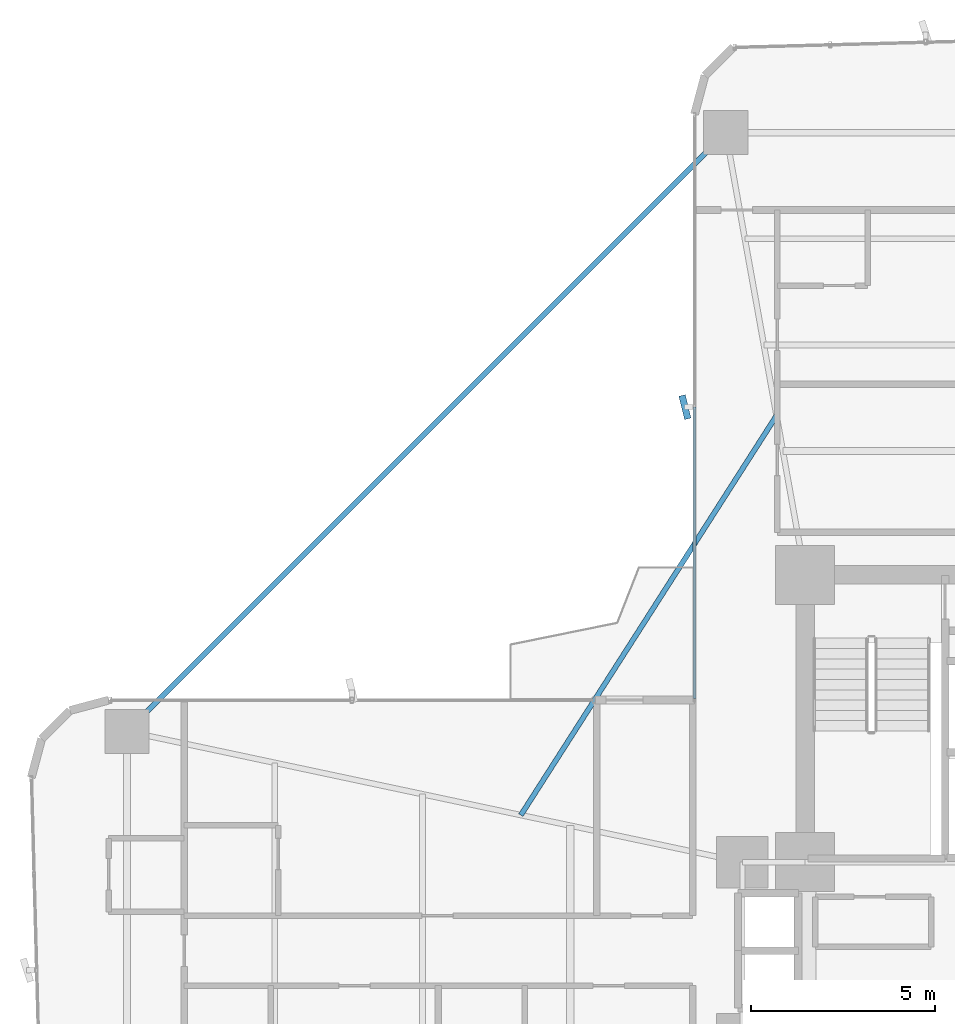
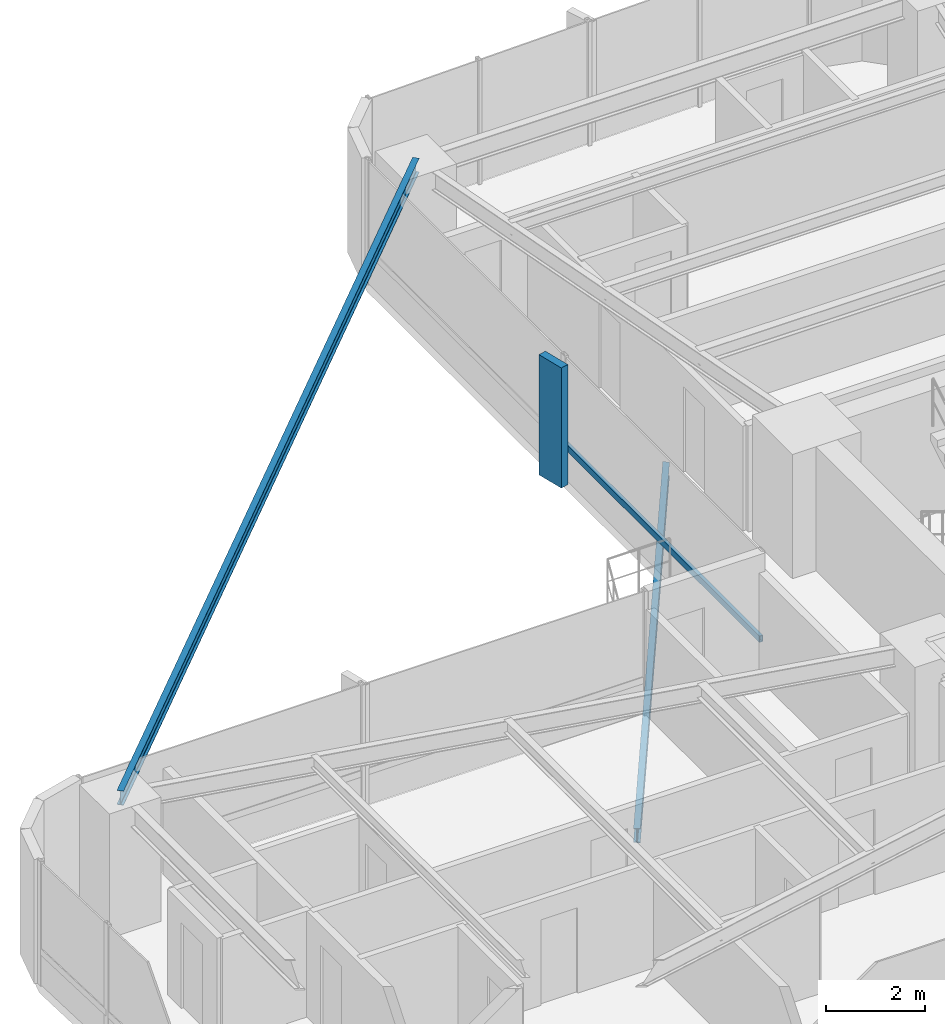
# One storey, part 17 of 26: 2 beams, 2 members, 1 element without a shape of its own.
"""IFC4 building model written with IfcOpenShell, lengths in metres."""

from ifc_helpers import new_model, si_unit, direction, frame, origin, origin_2d, place, context, subcontext, project, spatial, rectangle, hollow_rectangle, i_section, extrude, source, transform, mapped, material, material_profile, profile_set, type_object, element, aggregate, save


model = new_model("IFC4")

# Units and contexts
model_context = context("Model", 3, precision=1e-05, world=origin(), true_north=direction((0.0, 1.0)))
body_context = subcontext(model_context, "Body", "Model", "MODEL_VIEW")
ifc_project = project(units=[si_unit("LENGTHUNIT", "METRE"), si_unit("AREAUNIT", "SQUARE_METRE"), si_unit("VOLUMEUNIT", "CUBIC_METRE"), si_unit("PLANEANGLEUNIT", "RADIAN"), si_unit("MASSUNIT", "GRAM", prefix="KILO")], contexts=[model_context])

# Site, building, storey
site_placement = place(None, origin())
site = spatial("IfcSite", under=ifc_project, at=site_placement, CompositionType="ELEMENT")
building_placement = place(site_placement, origin())
building = spatial("IfcBuilding", under=site, at=building_placement, Name="Sahyath Konkavel Grand Hotel", CompositionType="ELEMENT")
storey_placement = place(building_placement, frame((0.0, 0.0, 43.199951171875)))
storey = spatial("IfcBuildingStorey", under=building, at=storey_placement, Name="L11", CompositionType="ELEMENT", Elevation=43.199951171875)

# Beam
ifc_material_1 = material(Name="Steel E350", Category="steel")
ifc_material_profile_1 = material_profile(ifc_material_1, i_section(OverallWidth=0.139892578125, OverallDepth=0.35009765625, WebThickness=0.008056640625, FlangeThickness=0.01416015625, FilletRadius=0.013916015625, at=origin_2d()), Name="ISMB 350")
ifc_profile_set_1 = profile_set([ifc_material_profile_1], Name="Steel E350")
beam_type_1 = type_object("IfcBeamType", Name="BM-ISMB350", PredefinedType="BEAM", material=ifc_profile_set_1)
shared_shape_1 = source(origin(), body_context, "Body", "SweptSolid", [
    extrude(i_section(OverallWidth=0.139892578125, OverallDepth=0.35009765625, WebThickness=0.008056640625, FlangeThickness=0.01416015625, FilletRadius=0.013916015625, at=origin_2d()), origin(), (0.0, 0.0, 1.0), 22.98095703125),
])
beam_1_placement = place(storey_placement, frame((-5.949951171875, 22.199951171875, 2.875), z_axis=(-0.707106781187, -0.707106781187, 0.0), x_axis=(0.707106781187, -0.707106781187, 0.0)))
element("IfcBeam", 1, at=beam_1_placement, inside=storey, type_object=beam_type_1, Name="L11 Re-Entrant Tie Beam NW", PredefinedType="BEAM", context=body_context, shape_type="MappedRepresentation", body=[
    mapped(shared_shape_1, transform((0.0, 0.0, 0.0), scale=1.0)),
])

# Curtain wall, member
ifc_material_2 = material(Name="Anodised Bronze Aluminium & Low-E Glazing", Category="aluminium")
curtain_wall_type = type_object("IfcCurtainWallType", Name="CW-ZONE1", PredefinedType="NOTDEFINED", material=ifc_material_2)
curtain_wall_placement = place(storey_placement, origin())
curtain_wall = element("IfcCurtainWall", 2, at=curtain_wall_placement, inside=storey, type_object=curtain_wall_type, Name="L11 Unitised Curtain Wall F15", PredefinedType="NOTDEFINED")
ifc_material_3 = material(Name="Anodised Bronze Aluminium", Category="aluminium")
ifc_material_profile_2 = material_profile(ifc_material_3, hollow_rectangle(XDim=0.080078125, YDim=0.159912109375, WallThickness=0.006103515625, at=origin_2d()), Name="RHS 160x80x6")
ifc_profile_set_2 = profile_set([ifc_material_profile_2], Name="Anodised Bronze Aluminium")
member_type_1 = type_object("IfcMemberType", Name="CW-TRN-160", PredefinedType="USERDEFINED", material=ifc_profile_set_2)
shared_shape_2 = source(origin(), body_context, "Body", "SweptSolid", [
    extrude(hollow_rectangle(XDim=0.080078125, YDim=0.159912109375, WallThickness=0.006103515625, at=origin_2d()), origin(), (0.0, 0.0, 1.0), 7.909912109375),
])
member_1_placement = place(storey_placement, frame((-6.800048828125, 14.75, 0.85009765625), z_axis=(0.0, -1.0, 0.0), x_axis=(1.0, 0.0, 0.0)))
member_1 = element("IfcMember", 3, at=member_1_placement, type_object=member_type_1, Name="L11 Curtain Wall Transom F15-1-spandrel", ObjectType="TRANSOM", PredefinedType="USERDEFINED", context=body_context, shape_type="MappedRepresentation", body=[
    mapped(shared_shape_2, transform((0.0, 0.0, 0.0), scale=1.0)),
])

# Beam
ifc_material_profile_3 = material_profile(ifc_material_1, i_section(OverallWidth=0.139892578125, OverallDepth=0.35009765625, WebThickness=0.008056640625, FlangeThickness=0.01416015625, FilletRadius=0.013916015625, at=origin_2d()), Name="ISMB 350")
ifc_profile_set_3 = profile_set([ifc_material_profile_3], Name="Steel E350")
beam_type_2 = type_object("IfcBeamType", Name="BM-BALC-CANT", PredefinedType="BEAM", material=ifc_profile_set_3)
shared_shape_3 = source(origin(), body_context, "Body", "SweptSolid", [
    extrude(i_section(OverallWidth=0.139892578125, OverallDepth=0.35009765625, WebThickness=0.008056640625, FlangeThickness=0.01416015625, FilletRadius=0.013916015625, at=origin_2d()), origin(), (0.0, 0.0, 1.0), 12.871826171875),
])
beam_2_placement = place(storey_placement, frame((-4.573974609375, 14.52001953125, -0.4150390625), z_axis=(-0.539003102535, -0.842303778608, 0.0), x_axis=(0.842303778608, -0.539003102535, 0.0)))
element("IfcBeam", 4, at=beam_2_placement, inside=storey, type_object=beam_type_2, Name="L11 Balcony Cantilever Support Beam NW", PredefinedType="BEAM", context=body_context, shape_type="MappedRepresentation", body=[
    mapped(shared_shape_3, transform((0.0, 0.0, 0.0), scale=1.0)),
])

# Member
ifc_material_4 = material(Name="Warm Buff Sandstone Cladding on Concrete C50/60", Category="masonry")
ifc_material_profile_4 = material_profile(ifc_material_4, rectangle(XDim=0.179931640625, YDim=0.64990234375, at=origin_2d()), Name="FIN 180x650")
ifc_profile_set_4 = profile_set([ifc_material_profile_4], Name="Warm Buff Sandstone Cladding on Concrete C50/60")
member_type_2 = type_object("IfcMemberType", Name="FIN-SANDSTONE-650", PredefinedType="MULLION", material=ifc_profile_set_4)
shared_shape_4 = source(origin(), body_context, "Body", "SweptSolid", [
    extrude(rectangle(XDim=0.179931640625, YDim=0.64990234375, at=origin_2d()), origin(), (0.0, 0.0, 1.0), 2.949951171875),
])
member_2_placement = place(storey_placement, frame((-7.06005859375, 14.75, 0.050048828125), z_axis=(0.0, 0.0, 1.0), x_axis=(0.970842131618, 0.239719743609, 0.0)))
member_2 = element("IfcMember", 5, at=member_2_placement, type_object=member_type_2, Name="L11 Sandstone Vertical Solar Fin FIN F15-1", PredefinedType="MULLION", context=body_context, shape_type="MappedRepresentation", body=[
    mapped(shared_shape_4, transform((0.0, 0.0, 0.0), scale=1.0)),
])

aggregate(curtain_wall, [member_2, member_1])

save(model, "model.ifc")
